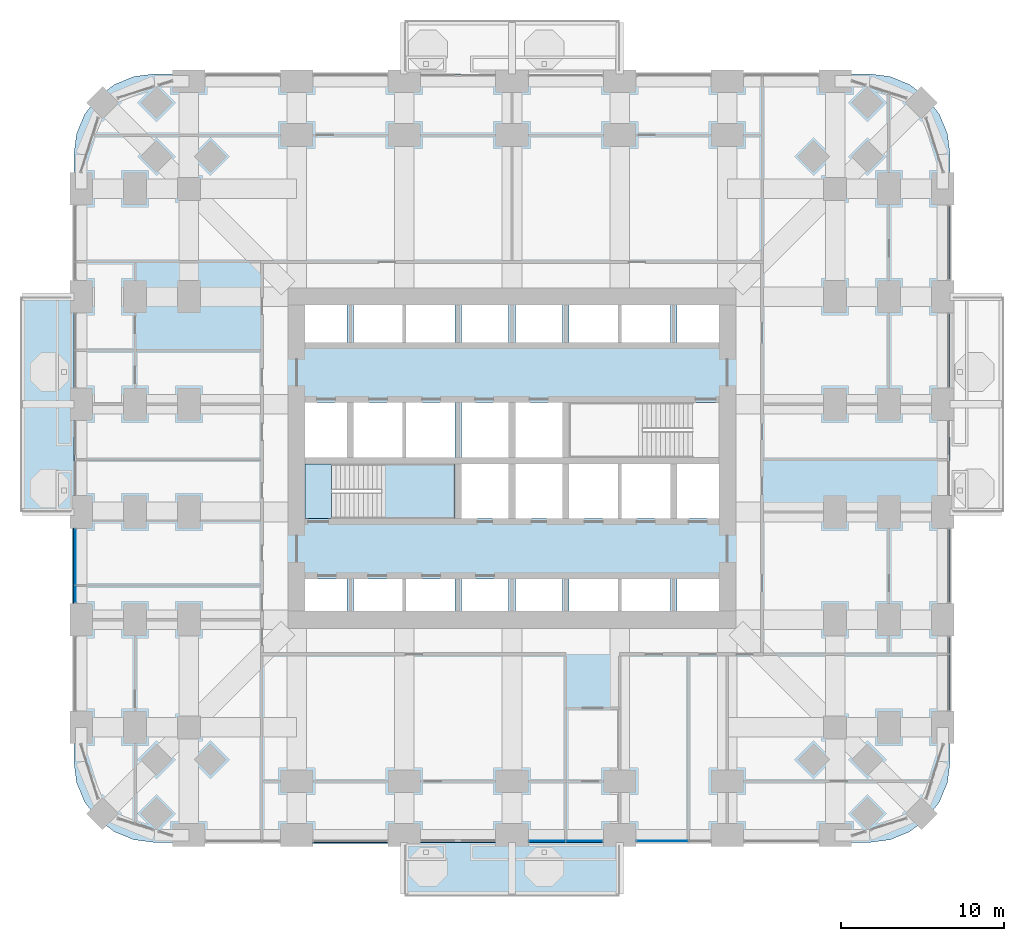
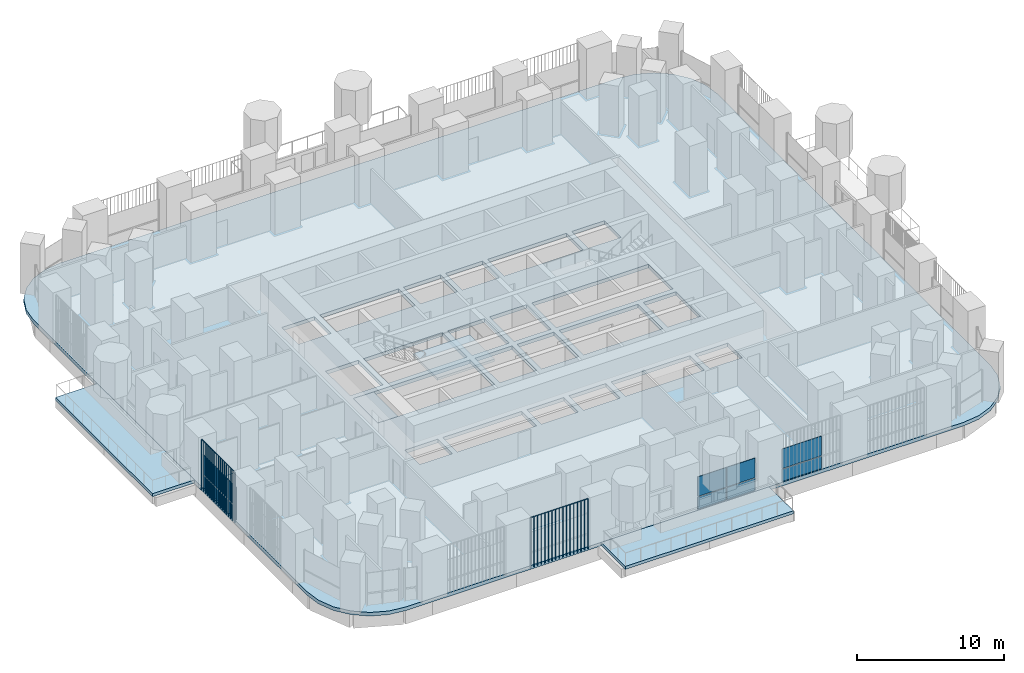
# One storey, part 11 of 24: 12 plates, 5 slabs, 4 elements without a shape of their own.
"""IFC4 building model written with IfcOpenShell, lengths in metres."""

from ifc_helpers import new_model, si_unit, direction, frame, origin, origin_2d, place, context, subcontext, project, spatial, polyline, rectangle, outline, extrude, material, layer, layer_set, type_object, element, aggregate, save


model = new_model("IFC4")

# Units and contexts
model_context = context("Model", 3, precision=1e-05, world=origin(), true_north=direction((0.0, 1.0)))
body_context = subcontext(model_context, "Body", "Model", "MODEL_VIEW")
ifc_project = project(units=[si_unit("LENGTHUNIT", "METRE"), si_unit("AREAUNIT", "SQUARE_METRE"), si_unit("VOLUMEUNIT", "CUBIC_METRE"), si_unit("PLANEANGLEUNIT", "RADIAN"), si_unit("MASSUNIT", "GRAM", prefix="KILO")], contexts=[model_context])

# Site, building, storey
site_placement = place(None, origin())
site = spatial("IfcSite", under=ifc_project, at=site_placement, CompositionType="ELEMENT")
building_placement = place(site_placement, origin())
building = spatial("IfcBuilding", under=site, at=building_placement, Name="Cobogo Forest Laboratory Tower", CompositionType="ELEMENT")
storey_placement = place(building_placement, frame((0.0, 0.0, 17.10009765625)))
storey = spatial("IfcBuildingStorey", under=building, at=storey_placement, Name="L03", CompositionType="ELEMENT", Elevation=17.10009765625)

# Slabs
ifc_material_1 = material(Name="Concrete HA-40 (C40/50)", Category="concrete")
ifc_layer_1 = layer(ifc_material_1, 0.25)
ifc_layer_set_1 = layer_set([ifc_layer_1], Name="Balcony slab 250")
slab_type_1 = type_object("IfcSlabType", Name="Balcony slab 250", PredefinedType="FLOOR", material=ifc_layer_set_1)
slab_1_placement = place(storey_placement, frame((0.0, 0.0, -0.25)))
element("IfcSlab", 1, at=slab_1_placement, inside=storey, type_object=slab_type_1, Name="Balcony BAL-S1 L03", PredefinedType="FLOOR", context=body_context, shape_type="SweptSolid", body=[
    extrude(outline(polyline([(19.800048828125, -3.75), (33.0, -3.75), (33.0, -0.449951171875), (19.800048828125, -0.449951171875), (19.800048828125, -3.75)])), origin(), (0.0, 0.0, 1.0), 0.25),
])
slab_2_placement = place(storey_placement, frame((0.0, 0.0, -0.25)))
element("IfcSlab", 2, at=slab_2_placement, inside=storey, type_object=slab_type_1, Name="Balcony BAL-W1 L03", PredefinedType="FLOOR", context=body_context, shape_type="SweptSolid", body=[
    extrude(outline(polyline([(-3.75, 19.800048828125), (-0.449951171875, 19.800048828125), (-0.449951171875, 33.0), (-3.75, 33.0), (-3.75, 19.800048828125)])), origin(), (0.0, 0.0, 1.0), 0.25),
])
ifc_layer_2 = layer(ifc_material_1, 0.300048828125)
ifc_layer_set_2 = layer_set([ifc_layer_2], Name="Floor slab 300")
slab_type_2 = type_object("IfcSlabType", Name="Floor slab 300", PredefinedType="FLOOR", material=ifc_layer_set_2)
slab_3_placement = place(storey_placement, frame((0.0, 0.0, -0.300048828125)))
element("IfcSlab", 3, at=slab_3_placement, inside=storey, type_object=slab_type_2, Name="L03 floor slab", PredefinedType="FLOOR", context=body_context, shape_type="SweptSolid", body=[
    extrude(outline(polyline([(48.300048828125, -0.449951171875), (49.5810546875, -0.28125), (50.77490234375, 0.213134765625), (51.80029296875, 0.999755859375), (52.5869140625, 2.02490234375), (53.081298828125, 3.21875), (53.25, 4.5), (53.25, 41.699951171875), (53.081298828125, 42.981201171875), (52.5869140625, 44.175048828125), (51.80029296875, 45.2001953125), (50.77490234375, 45.98681640625), (49.5810546875, 46.4814453125), (48.300048828125, 46.64990234375), (4.5, 46.64990234375), (3.21875, 46.4814453125), (2.02490234375, 45.98681640625), (0.999755859375, 45.2001953125), (0.213134765625, 44.175048828125), (-0.28125, 42.981201171875), (-0.449951171875, 41.699951171875), (-0.449951171875, 4.5), (-0.28125, 3.21875), (0.213134765625, 2.02490234375), (0.999755859375, 0.999755859375), (2.02490234375, 0.213134765625), (3.21875, -0.28125), (4.5, -0.449951171875), (48.300048828125, -0.449951171875)]), holes=[polyline([(16.300048828125, 13.72509765625), (13.72509765625, 13.72509765625), (13.72509765625, 15.699951171875), (16.300048828125, 15.699951171875), (16.300048828125, 13.72509765625)]), polyline([(22.89990234375, 15.699951171875), (22.89990234375, 13.72509765625), (16.699951171875, 13.72509765625), (16.699951171875, 15.699951171875), (22.89990234375, 15.699951171875)]), polyline([(23.300048828125, 13.72509765625), (23.300048828125, 15.699951171875), (26.199951171875, 15.699951171875), (26.199951171875, 13.72509765625), (23.300048828125, 13.72509765625)]), polyline([(29.5, 13.72509765625), (26.60009765625, 13.72509765625), (26.60009765625, 15.699951171875), (29.5, 15.699951171875), (29.5, 13.72509765625)]), polyline([(36.10009765625, 15.699951171875), (36.10009765625, 13.72509765625), (29.89990234375, 13.72509765625), (29.89990234375, 15.699951171875), (36.10009765625, 15.699951171875)]), polyline([(36.5, 13.72509765625), (36.5, 15.699951171875), (39.074951171875, 15.699951171875), (39.074951171875, 13.72509765625), (36.5, 13.72509765625)]), polyline([(13.72509765625, 19.39990234375), (13.72509765625, 22.75), (22.89990234375, 22.75), (22.89990234375, 19.39990234375), (13.72509765625, 19.39990234375)]), polyline([(23.300048828125, 19.39990234375), (23.300048828125, 22.75), (26.199951171875, 22.75), (26.199951171875, 19.39990234375), (23.300048828125, 19.39990234375)]), polyline([(26.60009765625, 19.39990234375), (26.60009765625, 22.75), (29.5, 22.75), (29.5, 19.39990234375), (26.60009765625, 19.39990234375)]), polyline([(36.10009765625, 22.75), (36.10009765625, 19.39990234375), (29.89990234375, 19.39990234375), (29.89990234375, 22.75), (36.10009765625, 22.75)]), polyline([(39.074951171875, 19.39990234375), (36.5, 19.39990234375), (36.5, 22.75), (39.074951171875, 22.75), (39.074951171875, 19.39990234375)]), polyline([(13.72509765625, 23.14990234375), (13.72509765625, 26.5), (16.300048828125, 26.5), (16.300048828125, 23.14990234375), (13.72509765625, 23.14990234375)]), polyline([(22.89990234375, 26.5), (22.89990234375, 23.14990234375), (16.699951171875, 23.14990234375), (16.699951171875, 26.5), (22.89990234375, 26.5)]), polyline([(23.300048828125, 23.14990234375), (23.300048828125, 26.5), (26.199951171875, 26.5), (26.199951171875, 23.14990234375), (23.300048828125, 23.14990234375)]), polyline([(26.60009765625, 23.14990234375), (26.60009765625, 26.5), (29.5, 26.5), (29.5, 23.14990234375), (26.60009765625, 23.14990234375)]), polyline([(29.89990234375, 23.14990234375), (29.89990234375, 26.5), (39.074951171875, 26.5), (39.074951171875, 23.14990234375), (29.89990234375, 23.14990234375)]), polyline([(13.72509765625, 30.199951171875), (13.72509765625, 32.47509765625), (16.300048828125, 32.47509765625), (16.300048828125, 30.199951171875), (13.72509765625, 30.199951171875)]), polyline([(22.89990234375, 32.47509765625), (22.89990234375, 30.199951171875), (16.699951171875, 30.199951171875), (16.699951171875, 32.47509765625), (22.89990234375, 32.47509765625)]), polyline([(23.300048828125, 30.199951171875), (23.300048828125, 32.47509765625), (26.199951171875, 32.47509765625), (26.199951171875, 30.199951171875), (23.300048828125, 30.199951171875)]), polyline([(26.60009765625, 30.199951171875), (26.60009765625, 32.47509765625), (29.5, 32.47509765625), (29.5, 30.199951171875), (26.60009765625, 30.199951171875)]), polyline([(36.10009765625, 32.47509765625), (36.10009765625, 30.199951171875), (29.89990234375, 30.199951171875), (29.89990234375, 32.47509765625), (36.10009765625, 32.47509765625)]), polyline([(36.5, 30.199951171875), (36.5, 32.47509765625), (39.074951171875, 32.47509765625), (39.074951171875, 30.199951171875), (36.5, 30.199951171875)])]), origin(), (0.0, 0.0, 1.0), 0.300048828125),
])

# Curtain wall, plates
ifc_material_2 = material(Name="Aluminium curtain wall", Category="aluminium")
curtain_wall_type = type_object("IfcCurtainWallType", Name="CW-1 unitised curtain wall, clear glazing, laboratory floors zones A and B", PredefinedType="USERDEFINED", material=ifc_material_2)
curtain_wall_1_placement = place(storey_placement, origin())
curtain_wall_1 = element("IfcCurtainWall", 4, at=curtain_wall_1_placement, inside=storey, type_object=curtain_wall_type, Name="Curtain wall 04 L03", ObjectType="UNITISED CURTAIN WALL", PredefinedType="USERDEFINED")
ifc_material_3 = material(Name="Clear insulated glass", Category="glass")
ifc_layer_3 = layer(ifc_material_3, 0.028076171875)
ifc_layer_set_3 = layer_set([ifc_layer_3], Name="GP-1 clear insulated glass unit 28")
plate_type_1 = type_object("IfcPlateType", Name="GP-1 clear insulated glass unit 28", PredefinedType="CURTAIN_PANEL", material=ifc_layer_set_3)
plate_1_placement = place(storey_placement, frame((28.56494140625, -0.35009765625, 0.0), z_axis=(0.0, 0.0, 1.0), x_axis=(1.0, 0.0, 0.0)))
plate_1 = element("IfcPlate", 5, at=plate_1_placement, type_object=plate_type_1, Name="CW-1 panel 1.1", PredefinedType="CURTAIN_PANEL", context=body_context, shape_type="SweptSolid", body=[
    extrude(rectangle(XDim=2.2099609375, YDim=0.028076171875, at=origin_2d()), origin(), (0.0, 0.0, 1.0), 1.02001953125),
])
plate_2_placement = place(storey_placement, frame((28.56494140625, -0.35009765625, 1.079833984375), z_axis=(0.0, 0.0, 1.0), x_axis=(1.0, 0.0, 0.0)))
plate_2 = element("IfcPlate", 6, at=plate_2_placement, type_object=plate_type_1, Name="CW-1 panel 1.2", PredefinedType="CURTAIN_PANEL", context=body_context, shape_type="SweptSolid", body=[
    extrude(rectangle(XDim=2.2099609375, YDim=0.028076171875, at=origin_2d()), origin(), (0.0, 0.0, 1.0), 1.6201171875),
])
plate_3_placement = place(storey_placement, frame((30.8349609375, -0.35009765625, 0.0), z_axis=(0.0, 0.0, 1.0), x_axis=(1.0, 0.0, 0.0)))
plate_3 = element("IfcPlate", 7, at=plate_3_placement, type_object=plate_type_1, Name="CW-1 panel 2.1", PredefinedType="CURTAIN_PANEL", context=body_context, shape_type="SweptSolid", body=[
    extrude(rectangle(XDim=2.2099609375, YDim=0.028076171875, at=origin_2d()), origin(), (0.0, 0.0, 1.0), 1.02001953125),
])
plate_4_placement = place(storey_placement, frame((30.8349609375, -0.35009765625, 1.079833984375), z_axis=(0.0, 0.0, 1.0), x_axis=(1.0, 0.0, 0.0)))
plate_4 = element("IfcPlate", 8, at=plate_4_placement, type_object=plate_type_1, Name="CW-1 panel 2.2", PredefinedType="CURTAIN_PANEL", context=body_context, shape_type="SweptSolid", body=[
    extrude(rectangle(XDim=2.2099609375, YDim=0.028076171875, at=origin_2d()), origin(), (0.0, 0.0, 1.0), 1.6201171875),
])
aggregate(curtain_wall_1, [plate_1, plate_2, plate_3, plate_4])

curtain_wall_2_placement = place(storey_placement, origin())
curtain_wall_2 = element("IfcCurtainWall", 9, at=curtain_wall_2_placement, inside=storey, type_object=curtain_wall_type, Name="Curtain wall 05 L03", ObjectType="UNITISED CURTAIN WALL", PredefinedType="USERDEFINED")
plate_5_placement = place(storey_placement, frame((35.614990234375, -0.35009765625, 0.0), z_axis=(0.0, 0.0, 1.0), x_axis=(1.0, 0.0, 0.0)))
plate_5 = element("IfcPlate", 10, at=plate_5_placement, type_object=plate_type_1, Name="CW-1 panel 1.1", PredefinedType="CURTAIN_PANEL", context=body_context, shape_type="SweptSolid", body=[
    extrude(rectangle(XDim=3.110107421875, YDim=0.028076171875, at=origin_2d()), origin(), (0.0, 0.0, 1.0), 1.02001953125),
])
plate_6_placement = place(storey_placement, frame((35.614990234375, -0.35009765625, 1.079833984375), z_axis=(0.0, 0.0, 1.0), x_axis=(1.0, 0.0, 0.0)))
plate_6 = element("IfcPlate", 11, at=plate_6_placement, type_object=plate_type_1, Name="CW-1 panel 1.2", PredefinedType="CURTAIN_PANEL", context=body_context, shape_type="SweptSolid", body=[
    extrude(rectangle(XDim=3.110107421875, YDim=0.028076171875, at=origin_2d()), origin(), (0.0, 0.0, 1.0), 1.6201171875),
])
aggregate(curtain_wall_2, [plate_5, plate_6])

curtain_wall_3_placement = place(storey_placement, origin())
curtain_wall_3 = element("IfcCurtainWall", 12, at=curtain_wall_3_placement, inside=storey, type_object=curtain_wall_type, Name="Curtain wall 30 L03", ObjectType="UNITISED CURTAIN WALL", PredefinedType="USERDEFINED")
plate_7_placement = place(storey_placement, frame((-0.35009765625, 17.034912109375, 0.0), z_axis=(0.0, 0.0, 1.0), x_axis=(0.0, -1.0, 0.0)))
plate_7 = element("IfcPlate", 13, at=plate_7_placement, type_object=plate_type_1, Name="CW-1 panel 1.1", PredefinedType="CURTAIN_PANEL", context=body_context, shape_type="SweptSolid", body=[
    extrude(rectangle(XDim=3.409912109375, YDim=0.028076171875, at=origin_2d()), origin(), (0.0, 0.0, 1.0), 1.02001953125),
])
plate_8_placement = place(storey_placement, frame((-0.35009765625, 17.034912109375, 1.079833984375), z_axis=(0.0, 0.0, 1.0), x_axis=(0.0, -1.0, 0.0)))
plate_8 = element("IfcPlate", 14, at=plate_8_placement, type_object=plate_type_1, Name="CW-1 panel 1.2", PredefinedType="CURTAIN_PANEL", context=body_context, shape_type="SweptSolid", body=[
    extrude(rectangle(XDim=3.409912109375, YDim=0.028076171875, at=origin_2d()), origin(), (0.0, 0.0, 1.0), 1.6201171875),
])
plate_9_placement = place(storey_placement, frame((-0.35009765625, 14.764892578125, 0.0), z_axis=(0.0, 0.0, 1.0), x_axis=(0.0, -1.0, 0.0)))
plate_9 = element("IfcPlate", 15, at=plate_9_placement, type_object=plate_type_1, Name="CW-1 panel 2.1", PredefinedType="CURTAIN_PANEL", context=body_context, shape_type="SweptSolid", body=[
    extrude(rectangle(XDim=1.010009765625, YDim=0.028076171875, at=origin_2d()), origin(), (0.0, 0.0, 1.0), 1.02001953125),
])
plate_10_placement = place(storey_placement, frame((-0.35009765625, 14.764892578125, 1.079833984375), z_axis=(0.0, 0.0, 1.0), x_axis=(0.0, -1.0, 0.0)))
plate_10 = element("IfcPlate", 16, at=plate_10_placement, type_object=plate_type_1, Name="CW-1 panel 2.2", PredefinedType="CURTAIN_PANEL", context=body_context, shape_type="SweptSolid", body=[
    extrude(rectangle(XDim=1.010009765625, YDim=0.028076171875, at=origin_2d()), origin(), (0.0, 0.0, 1.0), 1.6201171875),
])
aggregate(curtain_wall_3, [plate_7, plate_8, plate_9, plate_10])

# Stair, slabs
ifc_material_4 = material(Name="Precast concrete HA-40 (C40/50)", Category="concrete")
stair_type = type_object("IfcStairType", Name="ST24 exit stair 24 risers", PredefinedType="HALF_TURN_STAIR", material=ifc_material_4)
stair_placement = place(storey_placement, origin())
stair = element("IfcStair", 17, at=stair_placement, inside=storey, type_object=stair_type, Name="Stair 1 L03 to L04", PredefinedType="HALF_TURN_STAIR")
ifc_layer_4 = layer(ifc_material_1, 0.199951171875)
ifc_layer_set_4 = layer_set([ifc_layer_4], Name="SL stair landing 200")
slab_type_3 = type_object("IfcSlabType", Name="SL stair landing 200", PredefinedType="LANDING", material=ifc_layer_set_4)
slab_4_placement = place(storey_placement, frame((0.0, 0.0, -0.2001953125)))
slab_4 = element("IfcSlab", 18, at=slab_4_placement, type_object=slab_type_3, Name="ST1 landing 1", PredefinedType="LANDING", context=body_context, shape_type="SweptSolid", body=[
    extrude(outline(polyline([(13.72509765625, 19.39990234375), (15.326904296875, 19.39990234375), (15.326904296875, 22.75), (13.72509765625, 22.75), (13.72509765625, 19.39990234375)])), origin(), (0.0, 0.0, 1.0), 0.2001953125),
])
slab_5_placement = place(storey_placement, frame((0.0, 0.0, 1.89990234375)))
slab_5 = element("IfcSlab", 19, at=slab_5_placement, type_object=slab_type_3, Name="ST1 landing 2", PredefinedType="LANDING", context=body_context, shape_type="SweptSolid", body=[
    extrude(outline(polyline([(18.403076171875, 19.39990234375), (22.89990234375, 19.39990234375), (22.89990234375, 22.75), (18.403076171875, 22.75), (18.403076171875, 19.39990234375)])), origin(), (0.0, 0.0, 1.0), 0.199951171875),
])
aggregate(stair, [slab_4, slab_5])

# Plates
ifc_material_5 = material(Name="Terracotta", Category="masonry")
plate_type_2 = type_object("IfcPlateType", Name="TB1 terracotta baguette screen", PredefinedType="USERDEFINED", material=ifc_material_5)
plate_11_placement = place(storey_placement, frame((14.231201171875, -0.477783203125, -0.150146484375)))
element("IfcPlate", 20, at=plate_11_placement, inside=storey, type_object=plate_type_2, Name="Baguette screen S2 L03", ObjectType="BAGUETTE SCREEN", PredefinedType="USERDEFINED", context=body_context, shape_type="SweptSolid", body=[
    extrude(outline(polyline([(0.02880859375, 0.011962890625), (0.011962890625, 0.02880859375), (-0.011962890625, 0.02880859375), (-0.02880859375, 0.011962890625), (-0.02880859375, -0.011962890625), (-0.011962890625, -0.02880859375), (0.011962890625, -0.02880859375), (0.02880859375, -0.011962890625), (0.02880859375, 0.011962890625)])), frame((0.0, 0.0, 4.168701171875), z_axis=(1.0, 0.0, 0.0), x_axis=(0.0, 1.0, 0.0)), (0.0, 0.0, 1.0), 4.53759765625),
    extrude(outline(polyline([(0.02880859375, 0.011962890625), (0.011962890625, 0.02880859375), (-0.011962890625, 0.02880859375), (-0.02880859375, 0.011962890625), (-0.02880859375, -0.011962890625), (-0.011962890625, -0.02880859375), (0.011962890625, -0.02880859375), (0.02880859375, -0.011962890625), (0.02880859375, 0.011962890625)])), origin(), (0.0, 0.0, 1.0), 4.137451171875),
    extrude(outline(polyline([(0.02880859375, 0.011962890625), (0.011962890625, 0.02880859375), (-0.011962890625, 0.02880859375), (-0.02880859375, 0.011962890625), (-0.02880859375, -0.011962890625), (-0.011962890625, -0.02880859375), (0.011962890625, -0.02880859375), (0.02880859375, -0.011962890625), (0.02880859375, 0.011962890625)])), frame((0.28369140625, 0.0, 0.0)), (0.0, 0.0, 1.0), 4.137451171875),
    extrude(outline(polyline([(0.02880859375, 0.011962890625), (0.011962890625, 0.02880859375), (-0.011962890625, 0.02880859375), (-0.02880859375, 0.011962890625), (-0.02880859375, -0.011962890625), (-0.011962890625, -0.02880859375), (0.011962890625, -0.02880859375), (0.02880859375, -0.011962890625), (0.02880859375, 0.011962890625)])), frame((0.567138671875, 0.0, 0.0)), (0.0, 0.0, 1.0), 4.137451171875),
    extrude(outline(polyline([(0.02880859375, 0.011962890625), (0.011962890625, 0.02880859375), (-0.011962890625, 0.02880859375), (-0.02880859375, 0.011962890625), (-0.02880859375, -0.011962890625), (-0.011962890625, -0.02880859375), (0.011962890625, -0.02880859375), (0.02880859375, -0.011962890625), (0.02880859375, 0.011962890625)])), frame((0.850830078125, 0.0, 0.0)), (0.0, 0.0, 1.0), 4.137451171875),
    extrude(outline(polyline([(0.02880859375, 0.011962890625), (0.011962890625, 0.02880859375), (-0.011962890625, 0.02880859375), (-0.02880859375, 0.011962890625), (-0.02880859375, -0.011962890625), (-0.011962890625, -0.02880859375), (0.011962890625, -0.02880859375), (0.02880859375, -0.011962890625), (0.02880859375, 0.011962890625)])), frame((1.13427734375, 0.0, 0.0)), (0.0, 0.0, 1.0), 4.137451171875),
    extrude(outline(polyline([(0.02880859375, 0.011962890625), (0.011962890625, 0.02880859375), (-0.011962890625, 0.02880859375), (-0.02880859375, 0.011962890625), (-0.02880859375, -0.011962890625), (-0.011962890625, -0.02880859375), (0.011962890625, -0.02880859375), (0.02880859375, -0.011962890625), (0.02880859375, 0.011962890625)])), frame((1.41796875, 0.0, 0.0)), (0.0, 0.0, 1.0), 4.137451171875),
    extrude(outline(polyline([(0.02880859375, 0.011962890625), (0.011962890625, 0.02880859375), (-0.011962890625, 0.02880859375), (-0.02880859375, 0.011962890625), (-0.02880859375, -0.011962890625), (-0.011962890625, -0.02880859375), (0.011962890625, -0.02880859375), (0.02880859375, -0.011962890625), (0.02880859375, 0.011962890625)])), frame((1.70166015625, 0.0, 0.0)), (0.0, 0.0, 1.0), 4.137451171875),
    extrude(outline(polyline([(0.02880859375, 0.011962890625), (0.011962890625, 0.02880859375), (-0.011962890625, 0.02880859375), (-0.02880859375, 0.011962890625), (-0.02880859375, -0.011962890625), (-0.011962890625, -0.02880859375), (0.011962890625, -0.02880859375), (0.02880859375, -0.011962890625), (0.02880859375, 0.011962890625)])), frame((1.985107421875, 0.0, 0.0)), (0.0, 0.0, 1.0), 4.137451171875),
    extrude(outline(polyline([(0.02880859375, 0.011962890625), (0.011962890625, 0.02880859375), (-0.011962890625, 0.02880859375), (-0.02880859375, 0.011962890625), (-0.02880859375, -0.011962890625), (-0.011962890625, -0.02880859375), (0.011962890625, -0.02880859375), (0.02880859375, -0.011962890625), (0.02880859375, 0.011962890625)])), frame((2.268798828125, 0.0, 0.0)), (0.0, 0.0, 1.0), 4.137451171875),
    extrude(outline(polyline([(0.02880859375, 0.011962890625), (0.011962890625, 0.02880859375), (-0.011962890625, 0.02880859375), (-0.02880859375, 0.011962890625), (-0.02880859375, -0.011962890625), (-0.011962890625, -0.02880859375), (0.011962890625, -0.02880859375), (0.02880859375, -0.011962890625), (0.02880859375, 0.011962890625)])), frame((2.552490234375, 0.0, 0.0)), (0.0, 0.0, 1.0), 4.137451171875),
    extrude(outline(polyline([(0.02880859375, 0.011962890625), (0.011962890625, 0.02880859375), (-0.011962890625, 0.02880859375), (-0.02880859375, 0.011962890625), (-0.02880859375, -0.011962890625), (-0.011962890625, -0.02880859375), (0.011962890625, -0.02880859375), (0.02880859375, -0.011962890625), (0.02880859375, 0.011962890625)])), frame((2.8359375, 0.0, 0.0)), (0.0, 0.0, 1.0), 4.137451171875),
    extrude(outline(polyline([(0.02880859375, 0.011962890625), (0.011962890625, 0.02880859375), (-0.011962890625, 0.02880859375), (-0.02880859375, 0.011962890625), (-0.02880859375, -0.011962890625), (-0.011962890625, -0.02880859375), (0.011962890625, -0.02880859375), (0.02880859375, -0.011962890625), (0.02880859375, 0.011962890625)])), frame((3.11962890625, 0.0, 0.0)), (0.0, 0.0, 1.0), 4.137451171875),
    extrude(outline(polyline([(0.02880859375, 0.011962890625), (0.011962890625, 0.02880859375), (-0.011962890625, 0.02880859375), (-0.02880859375, 0.011962890625), (-0.02880859375, -0.011962890625), (-0.011962890625, -0.02880859375), (0.011962890625, -0.02880859375), (0.02880859375, -0.011962890625), (0.02880859375, 0.011962890625)])), frame((3.4033203125, 0.0, 0.0)), (0.0, 0.0, 1.0), 4.137451171875),
    extrude(outline(polyline([(0.02880859375, 0.011962890625), (0.011962890625, 0.02880859375), (-0.011962890625, 0.02880859375), (-0.02880859375, 0.011962890625), (-0.02880859375, -0.011962890625), (-0.011962890625, -0.02880859375), (0.011962890625, -0.02880859375), (0.02880859375, -0.011962890625), (0.02880859375, 0.011962890625)])), frame((3.686767578125, 0.0, 0.0)), (0.0, 0.0, 1.0), 4.137451171875),
    extrude(outline(polyline([(0.02880859375, 0.011962890625), (0.011962890625, 0.02880859375), (-0.011962890625, 0.02880859375), (-0.02880859375, 0.011962890625), (-0.02880859375, -0.011962890625), (-0.011962890625, -0.02880859375), (0.011962890625, -0.02880859375), (0.02880859375, -0.011962890625), (0.02880859375, 0.011962890625)])), frame((3.970458984375, 0.0, 0.0)), (0.0, 0.0, 1.0), 4.137451171875),
    extrude(outline(polyline([(0.02880859375, 0.011962890625), (0.011962890625, 0.02880859375), (-0.011962890625, 0.02880859375), (-0.02880859375, 0.011962890625), (-0.02880859375, -0.011962890625), (-0.011962890625, -0.02880859375), (0.011962890625, -0.02880859375), (0.02880859375, -0.011962890625), (0.02880859375, 0.011962890625)])), frame((4.25390625, 0.0, 0.0)), (0.0, 0.0, 1.0), 4.137451171875),
    extrude(outline(polyline([(0.02880859375, 0.011962890625), (0.011962890625, 0.02880859375), (-0.011962890625, 0.02880859375), (-0.02880859375, 0.011962890625), (-0.02880859375, -0.011962890625), (-0.011962890625, -0.02880859375), (0.011962890625, -0.02880859375), (0.02880859375, -0.011962890625), (0.02880859375, 0.011962890625)])), frame((4.53759765625, 0.0, 0.0)), (0.0, 0.0, 1.0), 4.137451171875),
])
plate_12_placement = place(storey_placement, frame((-0.477783203125, 14.231201171875, -0.150146484375)))
element("IfcPlate", 21, at=plate_12_placement, inside=storey, type_object=plate_type_2, Name="Baguette screen W2 L03", ObjectType="BAGUETTE SCREEN", PredefinedType="USERDEFINED", context=body_context, shape_type="SweptSolid", body=[
    extrude(outline(polyline([(0.02880859375, 0.011962890625), (0.011962890625, 0.02880859375), (-0.011962890625, 0.02880859375), (-0.02880859375, 0.011962890625), (-0.02880859375, -0.011962890625), (-0.011962890625, -0.02880859375), (0.011962890625, -0.02880859375), (0.02880859375, -0.011962890625), (0.02880859375, 0.011962890625)])), frame((0.0, 0.0, 4.168701171875), z_axis=(0.0, 1.0, 0.0), x_axis=(-1.0, 0.0, 0.0)), (0.0, 0.0, 1.0), 4.53759765625),
    extrude(outline(polyline([(0.02880859375, 0.011962890625), (0.011962890625, 0.02880859375), (-0.011962890625, 0.02880859375), (-0.02880859375, 0.011962890625), (-0.02880859375, -0.011962890625), (-0.011962890625, -0.02880859375), (0.011962890625, -0.02880859375), (0.02880859375, -0.011962890625), (0.02880859375, 0.011962890625)])), origin(), (0.0, 0.0, 1.0), 4.137451171875),
    extrude(outline(polyline([(0.02880859375, 0.011962890625), (0.011962890625, 0.02880859375), (-0.011962890625, 0.02880859375), (-0.02880859375, 0.011962890625), (-0.02880859375, -0.011962890625), (-0.011962890625, -0.02880859375), (0.011962890625, -0.02880859375), (0.02880859375, -0.011962890625), (0.02880859375, 0.011962890625)])), frame((0.0, 0.28369140625, 0.0)), (0.0, 0.0, 1.0), 4.137451171875),
    extrude(outline(polyline([(0.02880859375, 0.011962890625), (0.011962890625, 0.02880859375), (-0.011962890625, 0.02880859375), (-0.02880859375, 0.011962890625), (-0.02880859375, -0.011962890625), (-0.011962890625, -0.02880859375), (0.011962890625, -0.02880859375), (0.02880859375, -0.011962890625), (0.02880859375, 0.011962890625)])), frame((0.0, 0.567138671875, 0.0)), (0.0, 0.0, 1.0), 4.137451171875),
    extrude(outline(polyline([(0.02880859375, 0.011962890625), (0.011962890625, 0.02880859375), (-0.011962890625, 0.02880859375), (-0.02880859375, 0.011962890625), (-0.02880859375, -0.011962890625), (-0.011962890625, -0.02880859375), (0.011962890625, -0.02880859375), (0.02880859375, -0.011962890625), (0.02880859375, 0.011962890625)])), frame((0.0, 0.850830078125, 0.0)), (0.0, 0.0, 1.0), 4.137451171875),
    extrude(outline(polyline([(0.02880859375, 0.011962890625), (0.011962890625, 0.02880859375), (-0.011962890625, 0.02880859375), (-0.02880859375, 0.011962890625), (-0.02880859375, -0.011962890625), (-0.011962890625, -0.02880859375), (0.011962890625, -0.02880859375), (0.02880859375, -0.011962890625), (0.02880859375, 0.011962890625)])), frame((0.0, 1.13427734375, 0.0)), (0.0, 0.0, 1.0), 4.137451171875),
    extrude(outline(polyline([(0.02880859375, 0.011962890625), (0.011962890625, 0.02880859375), (-0.011962890625, 0.02880859375), (-0.02880859375, 0.011962890625), (-0.02880859375, -0.011962890625), (-0.011962890625, -0.02880859375), (0.011962890625, -0.02880859375), (0.02880859375, -0.011962890625), (0.02880859375, 0.011962890625)])), frame((0.0, 1.41796875, 0.0)), (0.0, 0.0, 1.0), 4.137451171875),
    extrude(outline(polyline([(0.02880859375, 0.011962890625), (0.011962890625, 0.02880859375), (-0.011962890625, 0.02880859375), (-0.02880859375, 0.011962890625), (-0.02880859375, -0.011962890625), (-0.011962890625, -0.02880859375), (0.011962890625, -0.02880859375), (0.02880859375, -0.011962890625), (0.02880859375, 0.011962890625)])), frame((0.0, 1.70166015625, 0.0)), (0.0, 0.0, 1.0), 4.137451171875),
    extrude(outline(polyline([(0.02880859375, 0.011962890625), (0.011962890625, 0.02880859375), (-0.011962890625, 0.02880859375), (-0.02880859375, 0.011962890625), (-0.02880859375, -0.011962890625), (-0.011962890625, -0.02880859375), (0.011962890625, -0.02880859375), (0.02880859375, -0.011962890625), (0.02880859375, 0.011962890625)])), frame((0.0, 1.985107421875, 0.0)), (0.0, 0.0, 1.0), 4.137451171875),
    extrude(outline(polyline([(0.02880859375, 0.011962890625), (0.011962890625, 0.02880859375), (-0.011962890625, 0.02880859375), (-0.02880859375, 0.011962890625), (-0.02880859375, -0.011962890625), (-0.011962890625, -0.02880859375), (0.011962890625, -0.02880859375), (0.02880859375, -0.011962890625), (0.02880859375, 0.011962890625)])), frame((0.0, 2.268798828125, 0.0)), (0.0, 0.0, 1.0), 4.137451171875),
    extrude(outline(polyline([(0.02880859375, 0.011962890625), (0.011962890625, 0.02880859375), (-0.011962890625, 0.02880859375), (-0.02880859375, 0.011962890625), (-0.02880859375, -0.011962890625), (-0.011962890625, -0.02880859375), (0.011962890625, -0.02880859375), (0.02880859375, -0.011962890625), (0.02880859375, 0.011962890625)])), frame((0.0, 2.552490234375, 0.0)), (0.0, 0.0, 1.0), 4.137451171875),
    extrude(outline(polyline([(0.02880859375, 0.011962890625), (0.011962890625, 0.02880859375), (-0.011962890625, 0.02880859375), (-0.02880859375, 0.011962890625), (-0.02880859375, -0.011962890625), (-0.011962890625, -0.02880859375), (0.011962890625, -0.02880859375), (0.02880859375, -0.011962890625), (0.02880859375, 0.011962890625)])), frame((0.0, 2.8359375, 0.0)), (0.0, 0.0, 1.0), 4.137451171875),
    extrude(outline(polyline([(0.02880859375, 0.011962890625), (0.011962890625, 0.02880859375), (-0.011962890625, 0.02880859375), (-0.02880859375, 0.011962890625), (-0.02880859375, -0.011962890625), (-0.011962890625, -0.02880859375), (0.011962890625, -0.02880859375), (0.02880859375, -0.011962890625), (0.02880859375, 0.011962890625)])), frame((0.0, 3.11962890625, 0.0)), (0.0, 0.0, 1.0), 4.137451171875),
    extrude(outline(polyline([(0.02880859375, 0.011962890625), (0.011962890625, 0.02880859375), (-0.011962890625, 0.02880859375), (-0.02880859375, 0.011962890625), (-0.02880859375, -0.011962890625), (-0.011962890625, -0.02880859375), (0.011962890625, -0.02880859375), (0.02880859375, -0.011962890625), (0.02880859375, 0.011962890625)])), frame((0.0, 3.4033203125, 0.0)), (0.0, 0.0, 1.0), 4.137451171875),
    extrude(outline(polyline([(0.02880859375, 0.011962890625), (0.011962890625, 0.02880859375), (-0.011962890625, 0.02880859375), (-0.02880859375, 0.011962890625), (-0.02880859375, -0.011962890625), (-0.011962890625, -0.02880859375), (0.011962890625, -0.02880859375), (0.02880859375, -0.011962890625), (0.02880859375, 0.011962890625)])), frame((0.0, 3.686767578125, 0.0)), (0.0, 0.0, 1.0), 4.137451171875),
    extrude(outline(polyline([(0.02880859375, 0.011962890625), (0.011962890625, 0.02880859375), (-0.011962890625, 0.02880859375), (-0.02880859375, 0.011962890625), (-0.02880859375, -0.011962890625), (-0.011962890625, -0.02880859375), (0.011962890625, -0.02880859375), (0.02880859375, -0.011962890625), (0.02880859375, 0.011962890625)])), frame((0.0, 3.970458984375, 0.0)), (0.0, 0.0, 1.0), 4.137451171875),
    extrude(outline(polyline([(0.02880859375, 0.011962890625), (0.011962890625, 0.02880859375), (-0.011962890625, 0.02880859375), (-0.02880859375, 0.011962890625), (-0.02880859375, -0.011962890625), (-0.011962890625, -0.02880859375), (0.011962890625, -0.02880859375), (0.02880859375, -0.011962890625), (0.02880859375, 0.011962890625)])), frame((0.0, 4.25390625, 0.0)), (0.0, 0.0, 1.0), 4.137451171875),
    extrude(outline(polyline([(0.02880859375, 0.011962890625), (0.011962890625, 0.02880859375), (-0.011962890625, 0.02880859375), (-0.02880859375, 0.011962890625), (-0.02880859375, -0.011962890625), (-0.011962890625, -0.02880859375), (0.011962890625, -0.02880859375), (0.02880859375, -0.011962890625), (0.02880859375, 0.011962890625)])), frame((0.0, 4.53759765625, 0.0)), (0.0, 0.0, 1.0), 4.137451171875),
])

save(model, "model.ifc")
